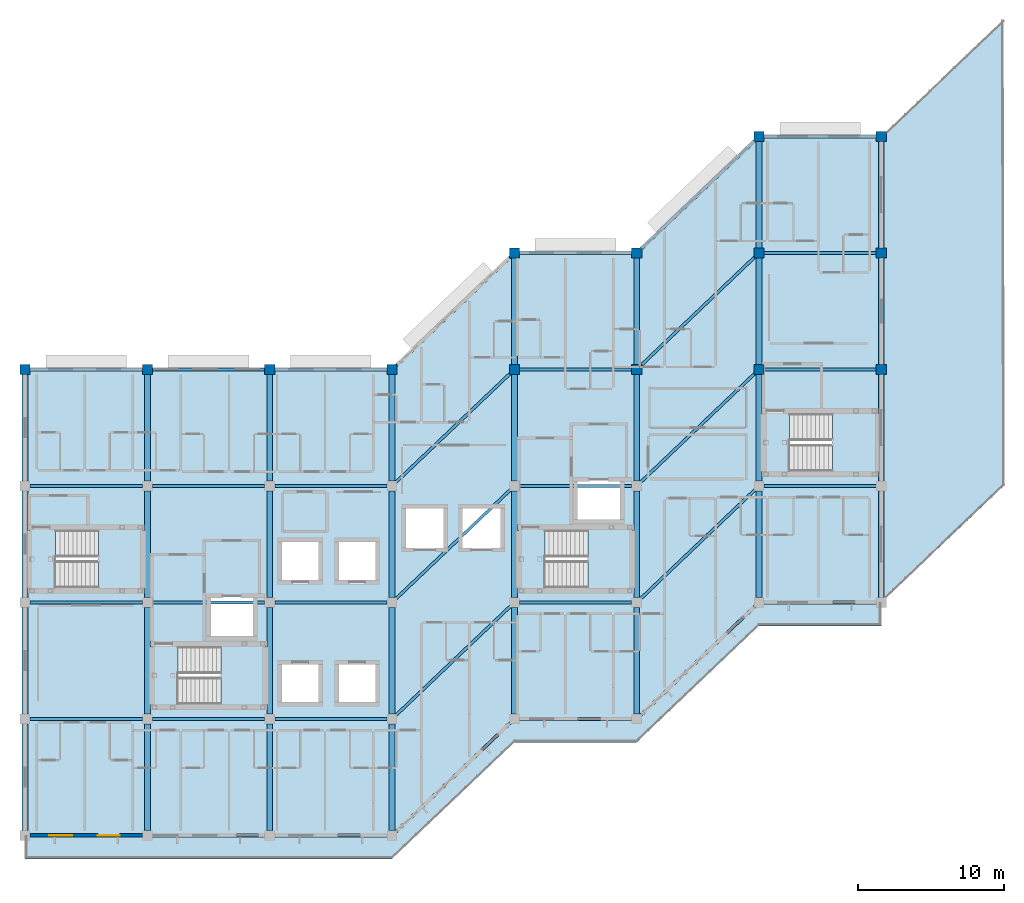
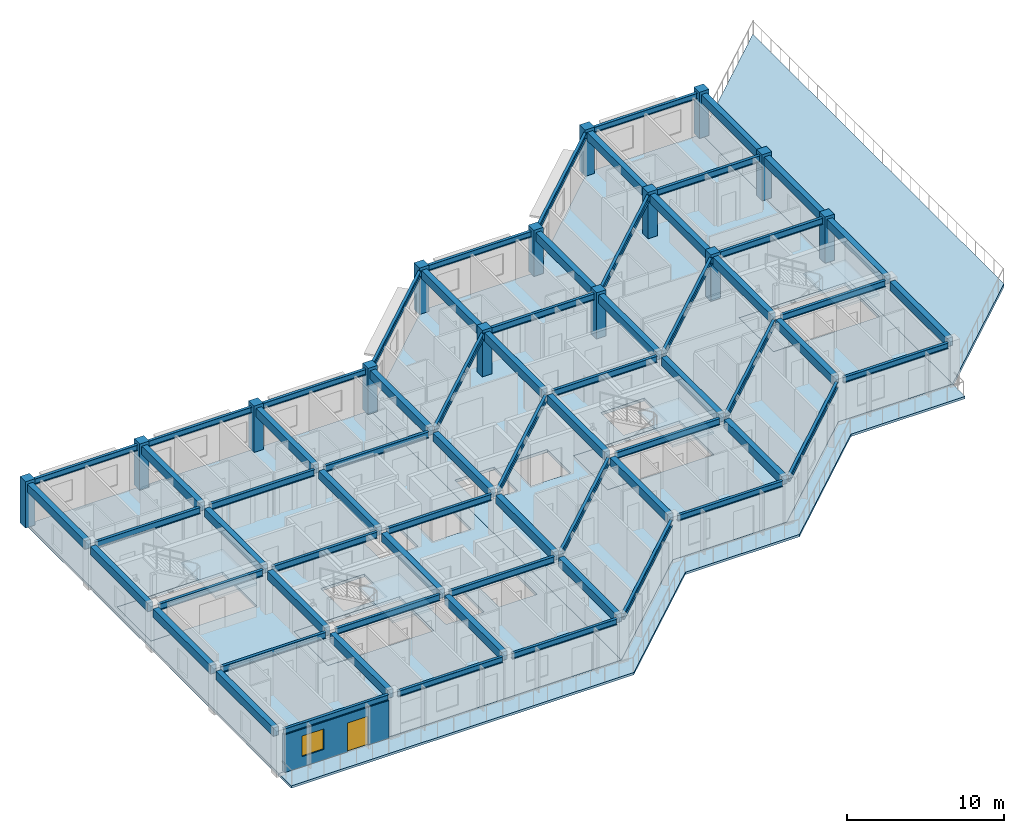
# One storey, part 3 of 16: 67 beams, 14 columns, 12 slabs, 1 door, 1 wall, 1 window, 2 openings, 4 elements without a shape of their own.
"""IFC4 building model written with IfcOpenShell, lengths in metres."""

from ifc_helpers import new_model, si_unit, direction, frame, frame_2d, origin, origin_2d, place, context, subcontext, project, spatial, polyline, rectangle, i_section, outline, extrude, material, layer, layer_set, material_profile, profile_set, type_object, element, fill, aggregate, save


model = new_model("IFC4")

# Units and contexts
model_context = context("Model", 3, precision=1e-05, world=origin(), true_north=direction((0.0, 1.0)))
body_context = subcontext(model_context, "Body", "Model", "MODEL_VIEW")
ifc_project = project(units=[si_unit("LENGTHUNIT", "METRE"), si_unit("AREAUNIT", "SQUARE_METRE"), si_unit("VOLUMEUNIT", "CUBIC_METRE"), si_unit("PLANEANGLEUNIT", "RADIAN"), si_unit("MASSUNIT", "GRAM", prefix="KILO")], contexts=[model_context])

# Site, building, storey
site_placement = place(None, origin())
site = spatial("IfcSite", under=ifc_project, at=site_placement, CompositionType="ELEMENT")
building_placement = place(site_placement, origin())
building = spatial("IfcBuilding", under=site, at=building_placement, Name="Naruveol Harbour Congress Hotel", CompositionType="ELEMENT")
storey_placement = place(building_placement, frame((0.0, 0.0, 28.800048828125)))
storey = spatial("IfcBuildingStorey", under=building, at=storey_placement, Name="L06", CompositionType="ELEMENT", Elevation=28.800048828125)

# Columns
ifc_material_1 = material(Name="Concrete C40/50", Category="concrete")
ifc_material_profile_1 = material_profile(ifc_material_1, rectangle(XDim=0.699951171875, YDim=0.699951171875, at=origin_2d()), Name="RC-700x700")
ifc_profile_set_1 = profile_set([ifc_material_profile_1], Name="Concrete C40/50")
column_type = type_object("IfcColumnType", Name="RC HOTEL COLUMN 700X700", PredefinedType="COLUMN", material=ifc_profile_set_1)
for number, where, z_axis, x_axis, name in (
    (1, (117.60009765625, 32.0, 0.0), (0.0, 0.0, 1.0), (1.0, 0.0, 0.0), "Column C-700 L06 (117.6,32.0)"),
    (2, (126.0, 32.0, 0.0), (0.0, 0.0, 1.0), (1.0, 0.0, 0.0), "Column C-700 L06 (126.0,32.0)"),
    (3, (134.39990234375, 32.0, 0.0), (0.0, 0.0, 1.0), (1.0, 0.0, 0.0), "Column C-700 L06 (134.4,32.0)"),
    (4, (142.800048828125, 32.0, 0.0), (0.0, 0.0, 1.0), (1.0, 0.0, 0.0), "Column C-700 L06 (142.8,32.0)"),
    (5, (151.199951171875, 40.0, 0.0), (0.0, 0.0, 1.0), (1.0, 0.0, 0.0), "Column C-700 L06 (151.2,40.0)"),
    (6, (159.60009765625, 40.0, 0.0), (0.0, 0.0, 1.0), (1.0, 0.0, 0.0), "Column C-700 L06 (159.6,40.0)"),
    (7, (168.0, 32.0, 0.0), (0.0, 0.0, 1.0), (1.0, 0.0, 0.0), "Column C-700 L06 (168.0,32.0)"),
    (8, (168.0, 48.0, 0.0), (0.0, 0.0, 1.0), (1.0, 0.0, 0.0), "Column C-700 L06 (168.0,48.0)"),
    (9, (176.39990234375, 32.0, 0.0), (0.0, 0.0, 1.0), (1.0, 0.0, 0.0), "Column C-700 L06 (176.4,32.0)"),
    (10, (176.39990234375, 48.0, 0.0), (0.0, 0.0, 1.0), (1.0, 0.0, 0.0), "Column C-700 L06 (176.4,48.0)"),
    (11, (151.199951171875, 32.0, 0.0), (0.0, 0.0, 1.0), (1.0, 0.0, 0.0), "Planted hotel column C-700 L06 S4/J3"),
    (12, (159.60009765625, 32.0, 0.0), (0.0, 0.0, 1.0), (1.0, 0.0, 0.0), "Planted hotel column C-700 L06 S5/J3"),
    (13, (168.0, 40.0, 0.0), (0.0, 0.0, 1.0), (1.0, 0.0, 0.0), "Planted hotel column C-700 L06 S6/J3"),
    (14, (176.39990234375, 40.0, 0.0), (0.0, 0.0, 1.0), (1.0, 0.0, 0.0), "Planted hotel column C-700 L06 S7/J3"),
):
    element("IfcColumn", number, at=place(storey_placement, frame(where, z_axis=z_axis, x_axis=x_axis)), inside=storey, type_object=column_type, Name=name, PredefinedType="COLUMN", context=body_context, shape_type="SweptSolid", body=[
        extrude(rectangle(XDim=0.699951171875, YDim=0.699951171875, at=origin_2d()), origin(), (0.0, 0.0, 1.0), 3.599853515625),
    ])

# Beams
ifc_material_2 = material(Name="Concrete C40/50", Category="concrete")
ifc_material_profile_2 = material_profile(ifc_material_2, rectangle(XDim=0.39990234375, YDim=0.64990234375, at=origin_2d()), Name="RCB-400x650")
ifc_profile_set_2 = profile_set([ifc_material_profile_2], Name="Concrete C40/50")
beam_type_1 = type_object("IfcBeamType", Name="RC HOTEL BEAM 400X650", PredefinedType="BEAM", material=ifc_profile_set_2)
for number, where, z_axis, x_axis, name in (
    (15, (117.60009765625, 0.345947265625, 3.054931640625), (0.0, 1.0, 0.0), (-1.0, 0.0, 0.0), "Hotel transverse beam L07 CB4"),
    (16, (117.60009765625, 8.345947265625, 3.054931640625), (0.0, 1.0, 0.0), (-1.0, 0.0, 0.0), "Hotel transverse beam L07 CB4"),
    (17, (117.60009765625, 16.345947265625, 3.054931640625), (0.0, 1.0, 0.0), (-1.0, 0.0, 0.0), "Hotel transverse beam L07 CB4"),
    (18, (117.60009765625, 24.345947265625, 3.054931640625), (0.0, 1.0, 0.0), (-1.0, 0.0, 0.0), "Hotel transverse beam L07 CB4"),
    (19, (126.0, 0.345947265625, 3.054931640625), (0.0, 1.0, 0.0), (-1.0, 0.0, 0.0), "Hotel transverse beam L07 CB4"),
    (20, (126.0, 8.345947265625, 3.054931640625), (0.0, 1.0, 0.0), (-1.0, 0.0, 0.0), "Hotel transverse beam L07 CB4"),
    (21, (126.0, 16.345947265625, 3.054931640625), (0.0, 1.0, 0.0), (-1.0, 0.0, 0.0), "Hotel transverse beam L07 CB4"),
    (22, (126.0, 24.345947265625, 3.054931640625), (0.0, 1.0, 0.0), (-1.0, 0.0, 0.0), "Hotel transverse beam L07 CB4"),
    (23, (134.39990234375, 0.345947265625, 3.054931640625), (0.0, 1.0, 0.0), (-1.0, 0.0, 0.0), "Hotel transverse beam L07 CB4"),
    (24, (134.39990234375, 8.345947265625, 3.054931640625), (0.0, 1.0, 0.0), (-1.0, 0.0, 0.0), "Hotel transverse beam L07 CB4"),
    (25, (134.39990234375, 16.345947265625, 3.054931640625), (0.0, 1.0, 0.0), (-1.0, 0.0, 0.0), "Hotel transverse beam L07 CB4"),
    (26, (134.39990234375, 24.345947265625, 3.054931640625), (0.0, 1.0, 0.0), (-1.0, 0.0, 0.0), "Hotel transverse beam L07 CB4"),
    (27, (142.800048828125, 0.345947265625, 3.054931640625), (0.0, 1.0, 0.0), (-1.0, 0.0, 0.0), "Hotel transverse beam L07 CB4"),
    (28, (142.800048828125, 8.345947265625, 3.054931640625), (0.0, 1.0, 0.0), (-1.0, 0.0, 0.0), "Hotel transverse beam L07 CB4"),
    (29, (142.800048828125, 16.345947265625, 3.054931640625), (0.0, 1.0, 0.0), (-1.0, 0.0, 0.0), "Hotel transverse beam L07 CB4"),
    (30, (142.800048828125, 24.345947265625, 3.054931640625), (0.0, 1.0, 0.0), (-1.0, 0.0, 0.0), "Hotel transverse beam L07 CB4"),
    (31, (151.199951171875, 8.345947265625, 3.054931640625), (0.0, 1.0, 0.0), (-1.0, 0.0, 0.0), "Hotel transverse beam L07 CB4"),
    (32, (151.199951171875, 16.345947265625, 3.054931640625), (0.0, 1.0, 0.0), (-1.0, 0.0, 0.0), "Hotel transverse beam L07 CB4"),
    (33, (151.199951171875, 24.345947265625, 3.054931640625), (0.0, 1.0, 0.0), (-1.0, 0.0, 0.0), "Hotel transverse beam L07 CB4"),
    (34, (151.199951171875, 32.345947265625, 3.054931640625), (0.0, 1.0, 0.0), (-1.0, 0.0, 0.0), "Hotel transverse beam L07 CB4"),
    (35, (159.60009765625, 8.345947265625, 3.054931640625), (0.0, 1.0, 0.0), (-1.0, 0.0, 0.0), "Hotel transverse beam L07 CB4"),
    (36, (159.60009765625, 16.345947265625, 3.054931640625), (0.0, 1.0, 0.0), (-1.0, 0.0, 0.0), "Hotel transverse beam L07 CB4"),
    (37, (159.60009765625, 24.345947265625, 3.054931640625), (0.0, 1.0, 0.0), (-1.0, 0.0, 0.0), "Hotel transverse beam L07 CB4"),
    (38, (159.60009765625, 32.345947265625, 3.054931640625), (0.0, 1.0, 0.0), (-1.0, 0.0, 0.0), "Hotel transverse beam L07 CB4"),
    (39, (168.0, 16.345947265625, 3.054931640625), (0.0, 1.0, 0.0), (-1.0, 0.0, 0.0), "Hotel transverse beam L07 CB4"),
    (40, (168.0, 24.345947265625, 3.054931640625), (0.0, 1.0, 0.0), (-1.0, 0.0, 0.0), "Hotel transverse beam L07 CB4"),
    (41, (168.0, 32.345947265625, 3.054931640625), (0.0, 1.0, 0.0), (-1.0, 0.0, 0.0), "Hotel transverse beam L07 CB4"),
    (42, (168.0, 40.345947265625, 3.054931640625), (0.0, 1.0, 0.0), (-1.0, 0.0, 0.0), "Hotel transverse beam L07 CB4"),
    (43, (176.39990234375, 16.345947265625, 3.054931640625), (0.0, 1.0, 0.0), (-1.0, 0.0, 0.0), "Hotel transverse beam L07 CB4"),
    (44, (176.39990234375, 24.345947265625, 3.054931640625), (0.0, 1.0, 0.0), (-1.0, 0.0, 0.0), "Hotel transverse beam L07 CB4"),
    (45, (176.39990234375, 32.345947265625, 3.054931640625), (0.0, 1.0, 0.0), (-1.0, 0.0, 0.0), "Hotel transverse beam L07 CB4"),
    (46, (176.39990234375, 40.345947265625, 3.054931640625), (0.0, 1.0, 0.0), (-1.0, 0.0, 0.0), "Hotel transverse beam L07 CB4"),
):
    element("IfcBeam", number, at=place(storey_placement, frame(where, z_axis=z_axis, x_axis=x_axis)), inside=storey, type_object=beam_type_1, Name=name, PredefinedType="BEAM", context=body_context, shape_type="SweptSolid", body=[
        extrude(rectangle(XDim=0.39990234375, YDim=0.64990234375, at=origin_2d()), origin(), (0.0, 0.0, 1.0), 7.30810546875),
    ])
ifc_material_3 = material(Name="Steel SN490", Category="steel")
ifc_material_profile_3 = material_profile(ifc_material_3, i_section(OverallWidth=0.199951171875, OverallDepth=0.5, WebThickness=0.010009765625, FlangeThickness=0.01611328125, at=origin_2d()), Name="H-500x200x10x16")
ifc_profile_set_3 = profile_set([ifc_material_profile_3], Name="Steel SN490")
beam_type_2 = type_object("IfcBeamType", Name="STEEL FLOOR GIRDER H500", PredefinedType="BEAM", material=ifc_profile_set_3)
for number, where, z_axis, x_axis, name in (
    (47, (117.946044921875, 8.0, 3.1298828125), (1.0, 0.0, 0.0), (0.0, 1.0, 0.0), "Hotel chord beam L07 SB2"),
    (48, (117.946044921875, 16.0, 3.1298828125), (1.0, 0.0, 0.0), (0.0, 1.0, 0.0), "Hotel chord beam L07 SB2"),
    (49, (117.946044921875, 24.0, 3.1298828125), (1.0, 0.0, 0.0), (0.0, 1.0, 0.0), "Hotel chord beam L07 SB2"),
    (50, (126.345947265625, 8.0, 3.1298828125), (1.0, 0.0, 0.0), (0.0, 1.0, 0.0), "Hotel chord beam L07 SB2"),
    (51, (126.345947265625, 16.0, 3.1298828125), (1.0, 0.0, 0.0), (0.0, 1.0, 0.0), "Hotel chord beam L07 SB2"),
    (52, (126.345947265625, 24.0, 3.1298828125), (1.0, 0.0, 0.0), (0.0, 1.0, 0.0), "Hotel chord beam L07 SB2"),
    (53, (134.74609375, 8.0, 3.1298828125), (1.0, 0.0, 0.0), (0.0, 1.0, 0.0), "Hotel chord beam L07 SB2"),
    (54, (134.74609375, 16.0, 3.1298828125), (1.0, 0.0, 0.0), (0.0, 1.0, 0.0), "Hotel chord beam L07 SB2"),
    (55, (134.74609375, 24.0, 3.1298828125), (1.0, 0.0, 0.0), (0.0, 1.0, 0.0), "Hotel chord beam L07 SB2"),
):
    element("IfcBeam", number, at=place(storey_placement, frame(where, z_axis=z_axis, x_axis=x_axis)), inside=storey, type_object=beam_type_2, Name=name, PredefinedType="BEAM", context=body_context, shape_type="SweptSolid", body=[
        extrude(i_section(OverallWidth=0.199951171875, OverallDepth=0.5, WebThickness=0.010009765625, FlangeThickness=0.01611328125, at=origin_2d()), origin(), (0.0, 0.0, 1.0), 7.7080078125),
    ])
for number, where, z_axis, x_axis, name in (
    (56, (143.050537109375, 8.238525390625, 3.1298828125), (0.724130479369, 0.689662996578, 0.0), (-0.689662996578, 0.724130479369, 0.0), "Hotel chord beam L07 SB2"),
    (57, (143.050537109375, 16.238525390625, 3.1298828125), (0.724130479369, 0.689662996578, 0.0), (-0.689662996578, 0.724130479369, 0.0), "Hotel chord beam L07 SB2"),
    (58, (143.050537109375, 24.238525390625, 3.1298828125), (0.724130479369, 0.689662996578, 0.0), (-0.689662996578, 0.724130479369, 0.0), "Hotel chord beam L07 SB2"),
):
    element("IfcBeam", number, at=place(storey_placement, frame(where, z_axis=z_axis, x_axis=x_axis)), inside=storey, type_object=beam_type_2, Name=name, PredefinedType="BEAM", context=body_context, shape_type="SweptSolid", body=[
        extrude(i_section(OverallWidth=0.199951171875, OverallDepth=0.5, WebThickness=0.010009765625, FlangeThickness=0.01611328125, at=origin_2d()), origin(), (0.0, 0.0, 1.0), 10.908203125),
    ])
for number, where, z_axis, x_axis, name in (
    (59, (151.5458984375, 16.0, 3.1298828125), (1.0, 0.0, 0.0), (0.0, 1.0, 0.0), "Hotel chord beam L07 SB2"),
    (60, (151.5458984375, 24.0, 3.1298828125), (1.0, 0.0, 0.0), (0.0, 1.0, 0.0), "Hotel chord beam L07 SB2"),
    (61, (151.5458984375, 32.0, 3.1298828125), (1.0, 0.0, 0.0), (0.0, 1.0, 0.0), "Hotel chord beam L07 SB2"),
):
    element("IfcBeam", number, at=place(storey_placement, frame(where, z_axis=z_axis, x_axis=x_axis)), inside=storey, type_object=beam_type_2, Name=name, PredefinedType="BEAM", context=body_context, shape_type="SweptSolid", body=[
        extrude(i_section(OverallWidth=0.199951171875, OverallDepth=0.5, WebThickness=0.010009765625, FlangeThickness=0.01611328125, at=origin_2d()), origin(), (0.0, 0.0, 1.0), 7.7080078125),
    ])
for number, where, z_axis, x_axis, name in (
    (62, (159.8505859375, 16.238525390625, 3.1298828125), (0.724130479369, 0.689662996578, 0.0), (-0.689662996578, 0.724130479369, 0.0), "Hotel chord beam L07 SB2"),
    (63, (159.8505859375, 24.238525390625, 3.1298828125), (0.724130479369, 0.689662996578, 0.0), (-0.689662996578, 0.724130479369, 0.0), "Hotel chord beam L07 SB2"),
    (64, (159.8505859375, 32.238525390625, 3.1298828125), (0.724130479369, 0.689662996578, 0.0), (-0.689662996578, 0.724130479369, 0.0), "Hotel chord beam L07 SB2"),
):
    element("IfcBeam", number, at=place(storey_placement, frame(where, z_axis=z_axis, x_axis=x_axis)), inside=storey, type_object=beam_type_2, Name=name, PredefinedType="BEAM", context=body_context, shape_type="SweptSolid", body=[
        extrude(i_section(OverallWidth=0.199951171875, OverallDepth=0.5, WebThickness=0.010009765625, FlangeThickness=0.01611328125, at=origin_2d()), origin(), (0.0, 0.0, 1.0), 10.908203125),
    ])
for number, where, z_axis, x_axis, name in (
    (65, (168.345947265625, 24.0, 3.1298828125), (1.0, 0.0, 0.0), (0.0, 1.0, 0.0), "Hotel chord beam L07 SB2"),
    (66, (168.345947265625, 32.0, 3.1298828125), (1.0, 0.0, 0.0), (0.0, 1.0, 0.0), "Hotel chord beam L07 SB2"),
    (67, (168.345947265625, 40.0, 3.1298828125), (1.0, 0.0, 0.0), (0.0, 1.0, 0.0), "Hotel chord beam L07 SB2"),
):
    element("IfcBeam", number, at=place(storey_placement, frame(where, z_axis=z_axis, x_axis=x_axis)), inside=storey, type_object=beam_type_2, Name=name, PredefinedType="BEAM", context=body_context, shape_type="SweptSolid", body=[
        extrude(i_section(OverallWidth=0.199951171875, OverallDepth=0.5, WebThickness=0.010009765625, FlangeThickness=0.01611328125, at=origin_2d()), origin(), (0.0, 0.0, 1.0), 7.7080078125),
    ])
ifc_material_4 = material(Name="Steel SN490", Category="steel")
ifc_material_profile_4 = material_profile(ifc_material_4, i_section(OverallWidth=0.199951171875, OverallDepth=0.449951171875, WebThickness=0.009033203125, FlangeThickness=0.013916015625, at=origin_2d()), Name="H-450x200x9x14")
ifc_profile_set_4 = profile_set([ifc_material_profile_4], Name="Steel SN490")
beam_type_3 = type_object("IfcBeamType", Name="STEEL SPANDREL EDGE BEAM H450", PredefinedType="SPANDREL", material=ifc_profile_set_4)
for number, where, z_axis, x_axis, name in (
    (68, (117.946044921875, 0.0, 3.155029296875), (1.0, 0.0, 0.0), (0.0, 1.0, 0.0), "Hotel chord beam L07 SPB2"),
    (69, (117.946044921875, 32.0, 3.155029296875), (1.0, 0.0, 0.0), (0.0, 1.0, 0.0), "Hotel chord beam L07 SPB2"),
    (70, (126.345947265625, 0.0, 3.155029296875), (1.0, 0.0, 0.0), (0.0, 1.0, 0.0), "Hotel chord beam L07 SPB2"),
    (71, (126.345947265625, 32.0, 3.155029296875), (1.0, 0.0, 0.0), (0.0, 1.0, 0.0), "Hotel chord beam L07 SPB2"),
    (72, (134.74609375, 0.0, 3.155029296875), (1.0, 0.0, 0.0), (0.0, 1.0, 0.0), "Hotel chord beam L07 SPB2"),
    (73, (134.74609375, 32.0, 3.155029296875), (1.0, 0.0, 0.0), (0.0, 1.0, 0.0), "Hotel chord beam L07 SPB2"),
):
    element("IfcBeam", number, at=place(storey_placement, frame(where, z_axis=z_axis, x_axis=x_axis)), inside=storey, type_object=beam_type_3, Name=name, PredefinedType="SPANDREL", context=body_context, shape_type="SweptSolid", body=[
        extrude(i_section(OverallWidth=0.199951171875, OverallDepth=0.449951171875, WebThickness=0.009033203125, FlangeThickness=0.013916015625, at=origin_2d()), origin(), (0.0, 0.0, 1.0), 7.7080078125),
    ])
for number, where, z_axis, x_axis, name in (
    (74, (143.050537109375, 0.238525390625, 3.155029296875), (0.724130479369, 0.689662996578, 0.0), (-0.689662996578, 0.724130479369, 0.0), "Hotel chord beam L07 SPB2"),
    (75, (143.050537109375, 32.238525390625, 3.155029296875), (0.724130479369, 0.689662996578, 0.0), (-0.689662996578, 0.724130479369, 0.0), "Hotel chord beam L07 SPB2"),
):
    element("IfcBeam", number, at=place(storey_placement, frame(where, z_axis=z_axis, x_axis=x_axis)), inside=storey, type_object=beam_type_3, Name=name, PredefinedType="SPANDREL", context=body_context, shape_type="SweptSolid", body=[
        extrude(i_section(OverallWidth=0.199951171875, OverallDepth=0.449951171875, WebThickness=0.009033203125, FlangeThickness=0.013916015625, at=origin_2d()), origin(), (0.0, 0.0, 1.0), 10.908203125),
    ])
for number, where, z_axis, x_axis, name in (
    (76, (151.5458984375, 8.0, 3.155029296875), (1.0, 0.0, 0.0), (0.0, 1.0, 0.0), "Hotel chord beam L07 SPB2"),
    (77, (151.5458984375, 40.0, 3.155029296875), (1.0, 0.0, 0.0), (0.0, 1.0, 0.0), "Hotel chord beam L07 SPB2"),
):
    element("IfcBeam", number, at=place(storey_placement, frame(where, z_axis=z_axis, x_axis=x_axis)), inside=storey, type_object=beam_type_3, Name=name, PredefinedType="SPANDREL", context=body_context, shape_type="SweptSolid", body=[
        extrude(i_section(OverallWidth=0.199951171875, OverallDepth=0.449951171875, WebThickness=0.009033203125, FlangeThickness=0.013916015625, at=origin_2d()), origin(), (0.0, 0.0, 1.0), 7.7080078125),
    ])
for number, where, z_axis, x_axis, name in (
    (78, (159.8505859375, 8.238525390625, 3.155029296875), (0.724130479369, 0.689662996578, 0.0), (-0.689662996578, 0.724130479369, 0.0), "Hotel chord beam L07 SPB2"),
    (79, (159.8505859375, 40.238525390625, 3.155029296875), (0.724130479369, 0.689662996578, 0.0), (-0.689662996578, 0.724130479369, 0.0), "Hotel chord beam L07 SPB2"),
):
    element("IfcBeam", number, at=place(storey_placement, frame(where, z_axis=z_axis, x_axis=x_axis)), inside=storey, type_object=beam_type_3, Name=name, PredefinedType="SPANDREL", context=body_context, shape_type="SweptSolid", body=[
        extrude(i_section(OverallWidth=0.199951171875, OverallDepth=0.449951171875, WebThickness=0.009033203125, FlangeThickness=0.013916015625, at=origin_2d()), origin(), (0.0, 0.0, 1.0), 10.908203125),
    ])
for number, where, z_axis, x_axis, name in (
    (80, (168.345947265625, 16.0, 3.155029296875), (1.0, 0.0, 0.0), (0.0, 1.0, 0.0), "Hotel chord beam L07 SPB2"),
    (81, (168.345947265625, 48.0, 3.155029296875), (1.0, 0.0, 0.0), (0.0, 1.0, 0.0), "Hotel chord beam L07 SPB2"),
):
    element("IfcBeam", number, at=place(storey_placement, frame(where, z_axis=z_axis, x_axis=x_axis)), inside=storey, type_object=beam_type_3, Name=name, PredefinedType="SPANDREL", context=body_context, shape_type="SweptSolid", body=[
        extrude(i_section(OverallWidth=0.199951171875, OverallDepth=0.449951171875, WebThickness=0.009033203125, FlangeThickness=0.013916015625, at=origin_2d()), origin(), (0.0, 0.0, 1.0), 7.7080078125),
    ])

# Slabs
ifc_material_5 = material(Name="Concrete C40/50", Category="concrete")
ifc_layer_1 = layer(ifc_material_5, 0.219970703125)
ifc_layer_set_1 = layer_set([ifc_layer_1], Name="Concrete C40/50")
slab_type_1 = type_object("IfcSlabType", Name="RC HOTEL LOWER FLOOR SLAB 220", PredefinedType="FLOOR", material=ifc_layer_set_1)
slab_1_placement = place(storey_placement, frame((0.0, 0.0, -0.219970703125)))
element("IfcSlab", 82, at=slab_1_placement, inside=storey, type_object=slab_type_1, Name="Level L06 Hotel W S-curve floor slab", PredefinedType="FLOOR", context=body_context, shape_type="SweptSolid", body=[
    extrude(outline(polyline([(117.60009765625, 0.0), (126.0, 0.0), (134.39990234375, 0.0), (142.800048828125, 0.0), (142.800048828125, 32.0), (134.39990234375, 32.0), (126.0, 32.0), (117.60009765625, 32.0), (117.60009765625, 0.0)]), holes=[polyline([(126.300048828125, 8.800048828125), (134.10009765625, 8.800048828125), (134.10009765625, 13.159912109375), (126.300048828125, 13.159912109375), (126.300048828125, 8.800048828125)]), polyline([(117.89990234375, 16.800048828125), (125.699951171875, 16.800048828125), (125.699951171875, 21.159912109375), (117.89990234375, 21.159912109375), (117.89990234375, 16.800048828125)]), polyline([(135.10009765625, 17.39990234375), (137.89990234375, 17.39990234375), (137.89990234375, 20.300048828125), (135.10009765625, 20.300048828125), (135.10009765625, 17.39990234375)]), polyline([(139.0, 17.39990234375), (141.800048828125, 17.39990234375), (141.800048828125, 20.300048828125), (139.0, 20.300048828125), (139.0, 17.39990234375)]), polyline([(135.10009765625, 9.0), (137.89990234375, 9.0), (137.89990234375, 11.89990234375), (135.10009765625, 11.89990234375), (135.10009765625, 9.0)]), polyline([(139.0, 9.0), (141.800048828125, 9.0), (141.800048828125, 11.89990234375), (139.0, 11.89990234375), (139.0, 9.0)]), polyline([(130.199951171875, 13.550048828125), (133.39990234375, 13.550048828125), (133.39990234375, 16.449951171875), (130.199951171875, 16.449951171875), (130.199951171875, 13.550048828125)])]), origin(), (0.0, 0.0, 1.0), 0.219970703125),
])
slab_2_placement = place(storey_placement, frame((0.0, 0.0, -0.219970703125)))
element("IfcSlab", 83, at=slab_2_placement, inside=storey, type_object=slab_type_1, Name="Level L06 Hotel E S-curve floor slab", PredefinedType="FLOOR", context=body_context, shape_type="SweptSolid", body=[
    extrude(outline(polyline([(142.800048828125, 0.0), (151.199951171875, 8.0), (159.60009765625, 8.0), (168.0, 16.0), (176.39990234375, 16.0), (176.39990234375, 48.0), (168.0, 48.0), (159.60009765625, 40.0), (151.199951171875, 40.0), (142.800048828125, 32.0), (142.800048828125, 0.0)]), holes=[polyline([(151.5, 16.800048828125), (159.300048828125, 16.800048828125), (159.300048828125, 21.159912109375), (151.5, 21.159912109375), (151.5, 16.800048828125)]), polyline([(168.300048828125, 24.800048828125), (176.10009765625, 24.800048828125), (176.10009765625, 29.159912109375), (168.300048828125, 29.159912109375), (168.300048828125, 24.800048828125)]), polyline([(155.39990234375, 21.550048828125), (158.60009765625, 21.550048828125), (158.60009765625, 24.449951171875), (155.39990234375, 24.449951171875), (155.39990234375, 21.550048828125)]), polyline([(143.60009765625, 19.60009765625), (146.5, 19.60009765625), (146.5, 22.60009765625), (143.60009765625, 22.60009765625), (143.60009765625, 19.60009765625)]), polyline([(147.5, 19.60009765625), (150.39990234375, 19.60009765625), (150.39990234375, 22.60009765625), (147.5, 22.60009765625), (147.5, 19.60009765625)])]), origin(), (0.0, 0.0, 1.0), 0.219970703125),
])
ifc_material_6 = material(Name="Concrete C40/50", Category="concrete")
ifc_layer_2 = layer(ifc_material_6, 0.260009765625)
ifc_layer_set_2 = layer_set([ifc_layer_2], Name="Concrete C40/50")
slab_type_2 = type_object("IfcSlabType", Name="RC PLANTED ROOF GARDEN SLAB 260", PredefinedType="ROOF", material=ifc_layer_set_2)
slab_3_placement = place(storey_placement, frame((0.0, 0.0, -0.260009765625)))
element("IfcSlab", 84, at=slab_3_placement, inside=storey, type_object=slab_type_2, Name="Level L06 East Harbour Garden Terrace", PredefinedType="ROOF", context=body_context, shape_type="SweptSolid", body=[
    extrude(outline(polyline([(176.39990234375, 16.0), (184.800048828125, 24.0), (184.800048828125, 56.0), (176.39990234375, 48.0), (176.39990234375, 16.0)])), origin(), (0.0, 0.0, 1.0), 0.260009765625),
])
ifc_material_7 = material(Name="Concrete C40/50", Category="concrete")
ifc_layer_3 = layer(ifc_material_7, 0.179931640625)
ifc_layer_set_3 = layer_set([ifc_layer_3], Name="Concrete C40/50")
slab_type_3 = type_object("IfcSlabType", Name="RC STAIR HALF LANDING SLAB 180", PredefinedType="LANDING", material=ifc_layer_set_3)
slab_4_placement = place(storey_placement, frame((0.0, 0.0, -0.179931640625)))
element("IfcSlab", 85, at=slab_4_placement, inside=storey, type_object=slab_type_3, Name="Stair ST1 L06 floor landing", PredefinedType="LANDING", context=body_context, shape_type="SweptSolid", body=[
    extrude(outline(polyline([(126.300048828125, 8.800048828125), (128.10009765625, 8.800048828125), (128.10009765625, 13.159912109375), (126.300048828125, 13.159912109375), (126.300048828125, 8.800048828125)])), origin(), (0.0, 0.0, 1.0), 0.179931640625),
])

# Stair, slab
ifc_material_8 = material(Name="Concrete C40/50", Category="concrete")
stair_type = type_object("IfcStairType", Name="RC DOG LEG ESCAPE STAIR 1800W H3600", PredefinedType="HALF_TURN_STAIR", material=ifc_material_8)
stair_1_placement = place(storey_placement, origin())
stair_1 = element("IfcStair", 86, at=stair_1_placement, inside=storey, type_object=stair_type, Name="Special Escape Stair ST1 L06 to L07", PredefinedType="HALF_TURN_STAIR")
slab_5_placement = place(storey_placement, frame((0.0, 0.0, 1.619873046875)))
slab_5 = element("IfcSlab", 87, at=slab_5_placement, type_object=slab_type_3, Name="ST1 L06 half landing", PredefinedType="LANDING", context=body_context, shape_type="SweptSolid", body=[
    extrude(outline(polyline([(131.050048828125, 8.800048828125), (134.10009765625, 8.800048828125), (134.10009765625, 13.159912109375), (131.050048828125, 13.159912109375), (131.050048828125, 8.800048828125)])), origin(), (0.0, 0.0, 1.0), 0.18017578125),
])
aggregate(stair_1, [slab_5])

# Slab
slab_6_placement = place(storey_placement, frame((0.0, 0.0, -0.179931640625)))
element("IfcSlab", 88, at=slab_6_placement, inside=storey, type_object=slab_type_3, Name="Stair ST2 L06 floor landing", PredefinedType="LANDING", context=body_context, shape_type="SweptSolid", body=[
    extrude(outline(polyline([(151.5, 16.800048828125), (153.300048828125, 16.800048828125), (153.300048828125, 21.159912109375), (151.5, 21.159912109375), (151.5, 16.800048828125)])), origin(), (0.0, 0.0, 1.0), 0.179931640625),
])

# Stair, slab
stair_2_placement = place(storey_placement, origin())
stair_2 = element("IfcStair", 89, at=stair_2_placement, inside=storey, type_object=stair_type, Name="Special Escape Stair ST2 L06 to L07", PredefinedType="HALF_TURN_STAIR")
slab_7_placement = place(storey_placement, frame((0.0, 0.0, 1.619873046875)))
slab_7 = element("IfcSlab", 90, at=slab_7_placement, type_object=slab_type_3, Name="ST2 L06 half landing", PredefinedType="LANDING", context=body_context, shape_type="SweptSolid", body=[
    extrude(outline(polyline([(156.25, 16.800048828125), (159.300048828125, 16.800048828125), (159.300048828125, 21.159912109375), (156.25, 21.159912109375), (156.25, 16.800048828125)])), origin(), (0.0, 0.0, 1.0), 0.18017578125),
])
aggregate(stair_2, [slab_7])

# Slab
slab_8_placement = place(storey_placement, frame((0.0, 0.0, -0.179931640625)))
element("IfcSlab", 91, at=slab_8_placement, inside=storey, type_object=slab_type_3, Name="Stair ST3 L06 floor landing", PredefinedType="LANDING", context=body_context, shape_type="SweptSolid", body=[
    extrude(outline(polyline([(117.89990234375, 16.800048828125), (119.699951171875, 16.800048828125), (119.699951171875, 21.159912109375), (117.89990234375, 21.159912109375), (117.89990234375, 16.800048828125)])), origin(), (0.0, 0.0, 1.0), 0.179931640625),
])

# Stair, slab
stair_3_placement = place(storey_placement, origin())
stair_3 = element("IfcStair", 92, at=stair_3_placement, inside=storey, type_object=stair_type, Name="Special Escape Stair ST3 L06 to L07", PredefinedType="HALF_TURN_STAIR")
slab_9_placement = place(storey_placement, frame((0.0, 0.0, 1.619873046875)))
slab_9 = element("IfcSlab", 93, at=slab_9_placement, type_object=slab_type_3, Name="ST3 L06 half landing", PredefinedType="LANDING", context=body_context, shape_type="SweptSolid", body=[
    extrude(outline(polyline([(122.64990234375, 16.800048828125), (125.699951171875, 16.800048828125), (125.699951171875, 21.159912109375), (122.64990234375, 21.159912109375), (122.64990234375, 16.800048828125)])), origin(), (0.0, 0.0, 1.0), 0.18017578125),
])
aggregate(stair_3, [slab_9])

# Slab
slab_10_placement = place(storey_placement, frame((0.0, 0.0, -0.179931640625)))
element("IfcSlab", 94, at=slab_10_placement, inside=storey, type_object=slab_type_3, Name="Stair ST4 L06 floor landing", PredefinedType="LANDING", context=body_context, shape_type="SweptSolid", body=[
    extrude(outline(polyline([(168.300048828125, 24.800048828125), (170.10009765625, 24.800048828125), (170.10009765625, 29.159912109375), (168.300048828125, 29.159912109375), (168.300048828125, 24.800048828125)])), origin(), (0.0, 0.0, 1.0), 0.179931640625),
])

# Stair, slab
stair_4_placement = place(storey_placement, origin())
stair_4 = element("IfcStair", 95, at=stair_4_placement, inside=storey, type_object=stair_type, Name="Special Escape Stair ST4 L06 to L07", PredefinedType="HALF_TURN_STAIR")
slab_11_placement = place(storey_placement, frame((0.0, 0.0, 1.619873046875)))
slab_11 = element("IfcSlab", 96, at=slab_11_placement, type_object=slab_type_3, Name="ST4 L06 half landing", PredefinedType="LANDING", context=body_context, shape_type="SweptSolid", body=[
    extrude(outline(polyline([(173.050048828125, 24.800048828125), (176.10009765625, 24.800048828125), (176.10009765625, 29.159912109375), (173.050048828125, 29.159912109375), (173.050048828125, 24.800048828125)])), origin(), (0.0, 0.0, 1.0), 0.18017578125),
])
aggregate(stair_4, [slab_11])

# Slab
ifc_material_9 = material(Name="Concrete C40/50", Category="concrete")
ifc_layer_4 = layer(ifc_material_9, 0.179931640625)
ifc_layer_set_4 = layer_set([ifc_layer_4], Name="Concrete C40/50")
slab_type_4 = type_object("IfcSlabType", Name="RC TERRACE AND LANDING SLAB 180", PredefinedType="FLOOR", material=ifc_layer_set_4)
slab_12_placement = place(storey_placement, frame((0.0, 0.0, -0.179931640625)))
element("IfcSlab", 97, at=slab_12_placement, inside=storey, type_object=slab_type_4, Name="Level L06 Harbourfront brise-soleil balcony", PredefinedType="FLOOR", context=body_context, shape_type="SweptSolid", body=[
    extrude(outline(polyline([(117.60009765625, -1.60009765625), (126.0, -1.60009765625), (134.39990234375, -1.60009765625), (142.800048828125, -1.60009765625), (151.199951171875, 6.39990234375), (159.60009765625, 6.39990234375), (168.0, 14.39990234375), (176.39990234375, 14.39990234375), (176.39990234375, 15.9951171875), (168.0, 15.9951171875), (159.60009765625, 7.9951171875), (151.199951171875, 7.9951171875), (142.800048828125, -0.0048828125), (134.39990234375, -0.0048828125), (126.0, -0.0048828125), (117.60009765625, -0.0048828125), (117.60009765625, -1.60009765625)])), origin(), (0.0, 0.0, 1.0), 0.179931640625),
])

# Wall, openings, window, door
ifc_material_10 = material(Name="Concrete C40/50", Category="concrete")
ifc_layer_5 = layer(ifc_material_10, 0.239990234375)
ifc_layer_set_5 = layer_set([ifc_layer_5], Name="Concrete C40/50")
wall_type = type_object("IfcWallType", Name="INSULATED HOTEL SPANDREL WALL 240", PredefinedType="SOLIDWALL", material=ifc_layer_set_5)
wall_placement = place(storey_placement, frame((125.64990234375, 0.0, 0.0), z_axis=(0.0, 0.0, 1.0), x_axis=(-1.0, 0.0, 0.0)))
wall = element("IfcWall", 98, at=wall_placement, inside=storey, type_object=wall_type, Name="Hotel south waterfront wall L06 EW-240", PredefinedType="SOLIDWALL", context=body_context, shape_type="SweptSolid", body=[
    extrude(rectangle(XDim=7.699951171875, YDim=0.239990234375, at=frame_2d((3.85009765625, 0.0))), origin(), (0.0, 0.0, 1.0), 2.929931640625),
])
opening_1_placement = place(wall_placement, frame((1.550048828125, 0.0, 0.0)))
opening_1 = element("IfcOpeningElement", 99, at=opening_1_placement, cuts=wall, Name="Opening BD-150-046", PredefinedType="OPENING", context=body_context, shape_type="SweptSolid", body=[
    extrude(rectangle(XDim=1.5, YDim=2.25, at=frame_2d((0.75, 1.125))), frame((0.0, 0.1298828125, 0.0), z_axis=(0.0, -1.0, 0.0), x_axis=(1.0, 0.0, 0.0)), (0.0, 0.0, 1.0), 0.260009765625),
])
opening_2_placement = place(wall_placement, frame((4.800048828125, 0.0, 0.800048828125)))
opening_2 = element("IfcOpeningElement", 100, at=opening_2_placement, cuts=wall, Name="Opening W-03", PredefinedType="OPENING", context=body_context, shape_type="SweptSolid", body=[
    extrude(rectangle(XDim=1.60009765625, YDim=1.60009765625, at=frame_2d((0.800048828125, 0.800048828125))), frame((0.0, 0.1298828125, 0.0), z_axis=(0.0, -1.0, 0.0), x_axis=(1.0, 0.0, 0.0)), (0.0, 0.0, 1.0), 0.260009765625),
])
ifc_material_11 = material(Name="Low-E Triple Glazing in Thermal Aluminium", Category="aluminium")
window_type = type_object("IfcWindowType", Name="DELUXE GUEST WINDOW 1600X1600", PartitioningType="SINGLE_PANEL", PredefinedType="WINDOW", material=ifc_material_11)
window_placement = place(opening_2_placement, origin())
window = element("IfcWindow", 101, at=window_placement, inside=storey, type_object=window_type, Name="Window W-03 #346", OverallHeight=1.60009765625, OverallWidth=1.60009765625, PartitioningType="SINGLE_PANEL", PredefinedType="WINDOW", context=body_context, shape_type="SweptSolid", body=[
    extrude(rectangle(XDim=1.60009765625, YDim=1.60009765625, at=frame_2d((0.800048828125, 0.800048828125))), frame((0.0, 0.030029296875, 0.0), z_axis=(0.0, -1.0, 0.0), x_axis=(1.0, 0.0, 0.0)), (0.0, 0.0, 1.0), 0.06005859375),
])
fill(opening_2, window)
ifc_material_12 = material(Name="Powder-Coated Steel & Insulated Glazing", Category="steel")
door_type = type_object("IfcDoorType", Name="SUITE BALCONY SLIDING DOOR 1500X2250", OperationType="SLIDING_TO_LEFT", PredefinedType="DOOR", material=ifc_material_12)
door_placement = place(opening_1_placement, origin())
door = element("IfcDoor", 102, at=door_placement, inside=storey, type_object=door_type, Name="Exterior door BD-150-046", OperationType="SLIDING_TO_LEFT", OverallHeight=2.25, OverallWidth=1.5, PredefinedType="DOOR", context=body_context, shape_type="SweptSolid", body=[
    extrude(rectangle(XDim=1.5, YDim=2.25, at=frame_2d((0.75, 1.125))), frame((0.0, 0.02490234375, 0.0), z_axis=(0.0, -1.0, 0.0), x_axis=(1.0, 0.0, 0.0)), (0.0, 0.0, 1.0), 0.050048828125),
])
fill(opening_1, door)

save(model, "model.ifc")
